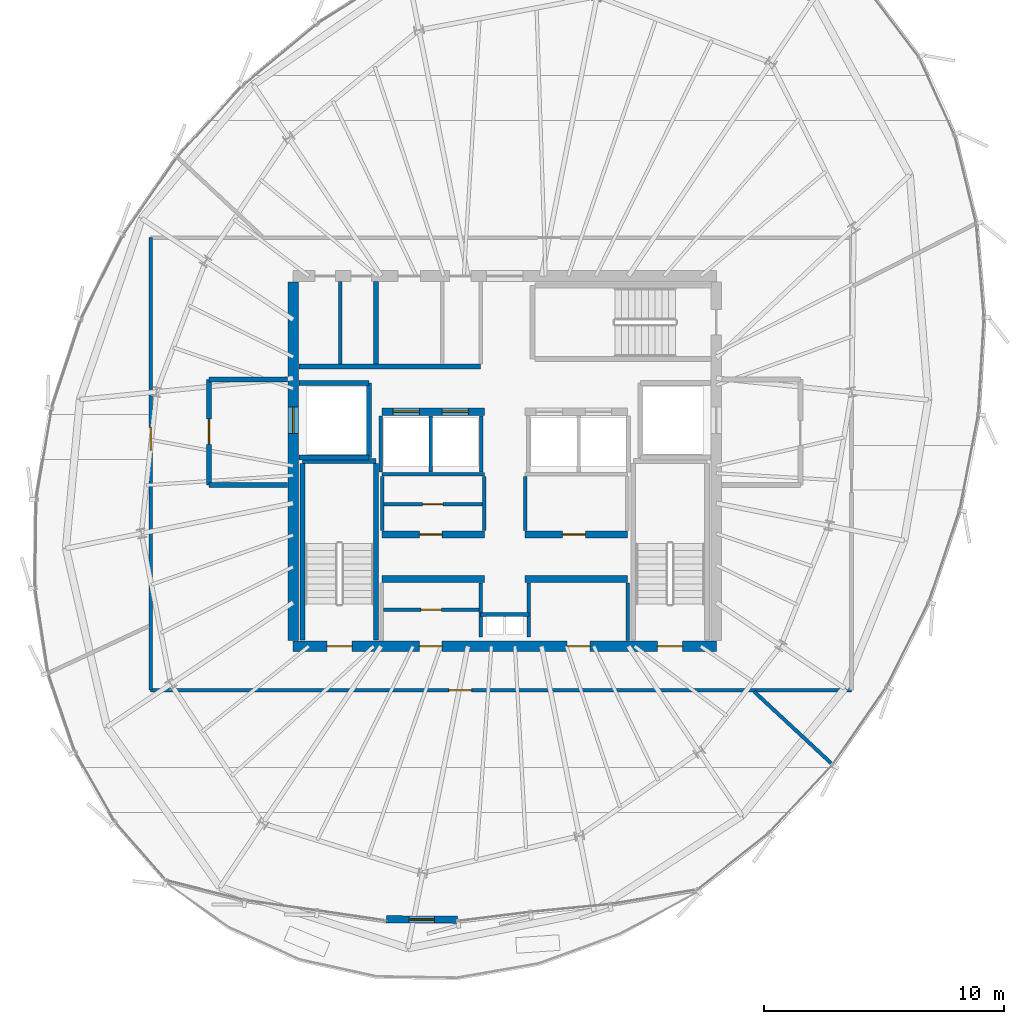
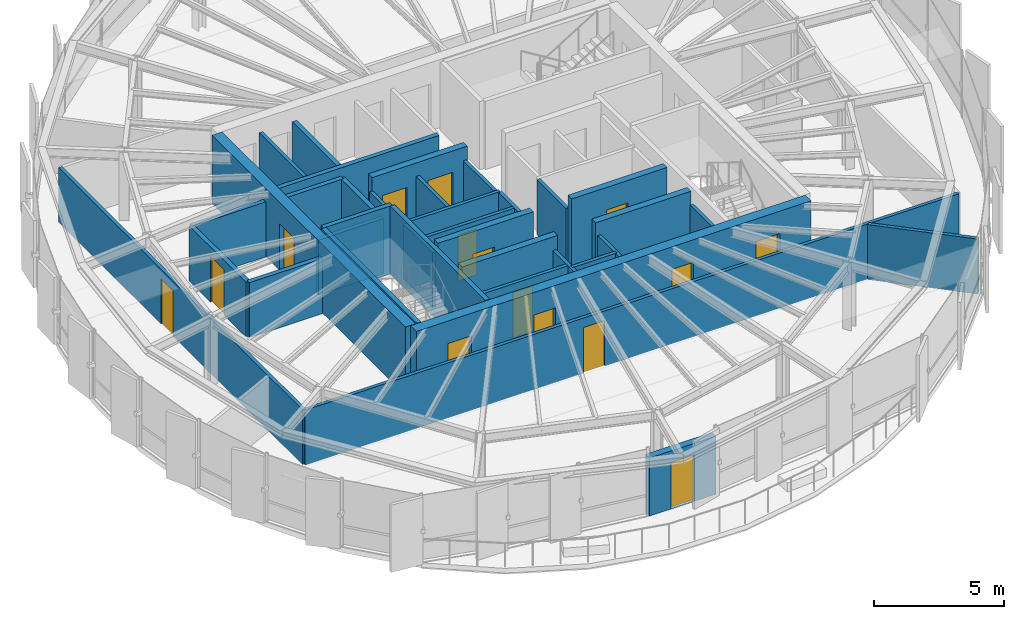
# One storey, part 26 of 32: 36 walls, 15 doors, 15 openings.
"""IFC4 building model written with IfcOpenShell, lengths in metres."""

from ifc_helpers import new_model, si_unit, direction, frame, frame_2d, origin, place, context, subcontext, project, spatial, rectangle, extrude, source, transform, mapped, material, layer, layer_set, type_object, element, fill, save


model = new_model("IFC4")

# Units and contexts
model_context = context("Model", 3, precision=1e-05, world=origin(), true_north=direction((0.0, 1.0)))
body_context = subcontext(model_context, "Body", "Model", "MODEL_VIEW")
ifc_project = project(units=[si_unit("LENGTHUNIT", "METRE"), si_unit("AREAUNIT", "SQUARE_METRE"), si_unit("VOLUMEUNIT", "CUBIC_METRE"), si_unit("PLANEANGLEUNIT", "RADIAN"), si_unit("MASSUNIT", "GRAM", prefix="KILO"), si_unit("THERMODYNAMICTEMPERATUREUNIT", "KELVIN")], contexts=[model_context])

# Site, building, storey
site_placement = place(None, origin())
site = spatial("IfcSite", under=ifc_project, at=site_placement, CompositionType="ELEMENT")
building_placement = place(site_placement, origin())
building = spatial("IfcBuilding", under=site, at=building_placement, Name="Kethvar Cultural Tower", CompositionType="ELEMENT")
storey_placement = place(building_placement, frame((0.0, 0.0, 273.25)))
storey = spatial("IfcBuildingStorey", under=building, at=storey_placement, Name="L72", CompositionType="ELEMENT", Elevation=273.25)

# Wall, openings, doors
ifc_material_1 = material(Name="Concrete C50/60", Category="concrete")
ifc_layer_1 = layer(ifc_material_1, 0.449951171875, Name="Concrete C50/60", Category="concrete")
ifc_layer_set_1 = layer_set([ifc_layer_1], Name="Concrete C50/60 (450 mm)")
wall_type_1 = type_object("IfcWallType", Name="WL-CORE-450", PredefinedType="SHEAR", material=ifc_layer_set_1)
wall_1_placement = place(storey_placement, frame((38.0, 20.10009765625, 0.0), z_axis=(0.0, 0.0, 1.0), x_axis=(1.0, 0.0, 0.0)))
wall_1 = element("IfcWall", 1, at=wall_1_placement, inside=storey, type_object=wall_type_1, Name="L72 Core Shear Wall S", PredefinedType="SHEAR", context=body_context, shape_type="SweptSolid", body=[
    extrude(rectangle(XDim=17.60009765625, YDim=0.449951171875, at=frame_2d((8.800048828125, 0.0))), origin(), (0.0, 0.0, 1.0), 3.2099609375),
])
opening_1_placement = place(wall_1_placement, frame((1.39990234375, 0.0, 0.0)))
opening_1 = element("IfcOpeningElement", 2, at=opening_1_placement, cuts=wall_1, Name="Opening D-L72-S1", PredefinedType="OPENING", context=body_context, shape_type="SweptSolid", body=[
    extrude(rectangle(XDim=1.050048828125, YDim=2.14990234375, at=frame_2d((0.52490234375, 1.074951171875))), frame((0.0, 0.23486328125, 0.0), z_axis=(0.0, -1.0, 0.0), x_axis=(1.0, 0.0, 0.0)), (0.0, 0.0, 1.0), 0.469970703125),
])
opening_2_placement = place(wall_1_placement, frame((15.14990234375, 0.0, 0.0)))
opening_2 = element("IfcOpeningElement", 3, at=opening_2_placement, cuts=wall_1, Name="Opening D-L72-ST2", PredefinedType="OPENING", context=body_context, shape_type="SweptSolid", body=[
    extrude(rectangle(XDim=1.050048828125, YDim=2.14990234375, at=frame_2d((0.52490234375, 1.074951171875))), frame((0.0, 0.23486328125, 0.0), z_axis=(0.0, -1.0, 0.0), x_axis=(1.0, 0.0, 0.0)), (0.0, 0.0, 1.0), 0.469970703125),
])
opening_3_placement = place(wall_1_placement, frame((5.25, 0.0, 0.0)))
opening_3 = element("IfcOpeningElement", 4, at=opening_3_placement, cuts=wall_1, Name="Opening D-L72-V1", PredefinedType="OPENING", context=body_context, shape_type="SweptSolid", body=[
    extrude(rectangle(XDim=0.949951171875, YDim=2.14990234375, at=frame_2d((0.47509765625, 1.074951171875))), frame((0.0, 0.23486328125, 0.0), z_axis=(0.0, -1.0, 0.0), x_axis=(1.0, 0.0, 0.0)), (0.0, 0.0, 1.0), 0.469970703125),
])
opening_4_placement = place(wall_1_placement, frame((11.39990234375, 0.0, 0.0)))
opening_4 = element("IfcOpeningElement", 5, at=opening_4_placement, cuts=wall_1, Name="Opening D-L72-V2", PredefinedType="OPENING", context=body_context, shape_type="SweptSolid", body=[
    extrude(rectangle(XDim=0.949951171875, YDim=2.14990234375, at=frame_2d((0.47509765625, 1.074951171875))), frame((0.0, 0.23486328125, 0.0), z_axis=(0.0, -1.0, 0.0), x_axis=(1.0, 0.0, 0.0)), (0.0, 0.0, 1.0), 0.469970703125),
])
ifc_material_2 = material(Name="Steel S355J2", Category="steel")
door_type_1 = type_object("IfcDoorType", Name="DR-FD60-1050", OperationType="NOTDEFINED", PredefinedType="DOOR", material=ifc_material_2)
shared_shape_1 = source(origin(), body_context, "Body", "SweptSolid", [
    extrude(rectangle(XDim=1.050048828125, YDim=2.14990234375, at=frame_2d((0.52490234375, 1.074951171875))), frame((0.0, 0.02490234375, 0.0), z_axis=(0.0, -1.0, 0.0), x_axis=(1.0, 0.0, 0.0)), (0.0, 0.0, 1.0), 0.050048828125),
])
door_1_placement = place(opening_1_placement, origin())
door_1 = element("IfcDoor", 6, at=door_1_placement, inside=storey, type_object=door_type_1, Name="L72 Exit Stair 1 Door", OperationType="SINGLE_SWING_LEFT", OverallHeight=2.14990234375, OverallWidth=1.050048828125, PredefinedType="DOOR", context=body_context, shape_type="MappedRepresentation", body=[
    mapped(shared_shape_1, transform((0.0, 0.0, 0.0), scale=1.0)),
])
fill(opening_1, door_1)
door_2_placement = place(opening_2_placement, origin())
door_2 = element("IfcDoor", 7, at=door_2_placement, inside=storey, type_object=door_type_1, Name="L72 Exit Stair 2 Door", OperationType="SINGLE_SWING_RIGHT", OverallHeight=2.14990234375, OverallWidth=1.050048828125, PredefinedType="DOOR", context=body_context, shape_type="MappedRepresentation", body=[
    mapped(shared_shape_1, transform((0.0, 0.0, 0.0), scale=1.0)),
])
fill(opening_2, door_2)
ifc_material_3 = material(Name="Architectural Oak Timber", Category="wood")
door_type_2 = type_object("IfcDoorType", Name="DR-FD30-950", OperationType="NOTDEFINED", PredefinedType="DOOR", material=ifc_material_3)
shared_shape_2 = source(origin(), body_context, "Body", "SweptSolid", [
    extrude(rectangle(XDim=0.949951171875, YDim=2.14990234375, at=frame_2d((0.47509765625, 1.074951171875))), frame((0.0, 0.02490234375, 0.0), z_axis=(0.0, -1.0, 0.0), x_axis=(1.0, 0.0, 0.0)), (0.0, 0.0, 1.0), 0.050048828125),
])
door_3_placement = place(opening_3_placement, origin())
door_3 = element("IfcDoor", 8, at=door_3_placement, inside=storey, type_object=door_type_2, Name="L72 Reclaimed West South Door", OperationType="SINGLE_SWING_LEFT", OverallHeight=2.14990234375, OverallWidth=0.949951171875, PredefinedType="DOOR", context=body_context, shape_type="MappedRepresentation", body=[
    mapped(shared_shape_2, transform((0.0, 0.0, 0.0), scale=1.0)),
])
fill(opening_3, door_3)
door_4_placement = place(opening_4_placement, origin())
door_4 = element("IfcDoor", 9, at=door_4_placement, inside=storey, type_object=door_type_2, Name="L72 Reclaimed East Server Door", OperationType="SINGLE_SWING_RIGHT", OverallHeight=2.14990234375, OverallWidth=0.949951171875, PredefinedType="DOOR", context=body_context, shape_type="MappedRepresentation", body=[
    mapped(shared_shape_2, transform((0.0, 0.0, 0.0), scale=1.0)),
])
fill(opening_4, door_4)

# Wall, opening, door
wall_2_placement = place(storey_placement, frame((38.0, 35.260009765625, 0.0), z_axis=(0.0, 0.0, 1.0), x_axis=(0.0, -1.0, 0.0)))
wall_2 = element("IfcWall", 10, at=wall_2_placement, inside=storey, type_object=wall_type_1, Name="L72 Core Shear Wall W", PredefinedType="SHEAR", context=body_context, shape_type="SweptSolid", body=[
    extrude(rectangle(XDim=14.919921875, YDim=0.449951171875, at=frame_2d((7.4599609375, 0.0))), origin(), (0.0, 0.0, 1.0), 3.2099609375),
])
opening_5_placement = place(wall_2_placement, frame((5.2099609375, 0.0, 0.0)))
opening_5 = element("IfcOpeningElement", 11, at=opening_5_placement, cuts=wall_2, Name="Opening LD-1", PredefinedType="OPENING", context=body_context, shape_type="SweptSolid", body=[
    extrude(rectangle(XDim=1.10009765625, YDim=2.199951171875, at=frame_2d((0.550048828125, 1.10009765625))), frame((0.0, 0.23486328125, 0.0), z_axis=(0.0, -1.0, 0.0), x_axis=(1.0, 0.0, 0.0)), (0.0, 0.0, 1.0), 0.469970703125),
])
door_type_3 = type_object("IfcDoorType", Name="DR-LIFT-SLIDE-1100", OperationType="NOTDEFINED", PredefinedType="DOOR", material=ifc_material_2)
shared_shape_3 = source(origin(), body_context, "Body", "SweptSolid", [
    extrude(rectangle(XDim=1.10009765625, YDim=2.199951171875, at=frame_2d((0.550048828125, 1.10009765625))), frame((0.0, 0.02490234375, 0.0), z_axis=(0.0, -1.0, 0.0), x_axis=(1.0, 0.0, 0.0)), (0.0, 0.0, 1.0), 0.050048828125),
])
door_5_placement = place(opening_5_placement, origin())
door_5 = element("IfcDoor", 12, at=door_5_placement, inside=storey, type_object=door_type_3, Name="L72 Firefighting Lift Landing Door FFL-01", OperationType="SLIDING_TO_LEFT", OverallHeight=2.199951171875, OverallWidth=1.10009765625, PredefinedType="DOOR", context=body_context, shape_type="MappedRepresentation", body=[
    mapped(shared_shape_3, transform((0.0, 0.0, 0.0), scale=1.0)),
])
fill(opening_5, door_5)

ifc_material_4 = material(Name="Concrete C40/50", Category="concrete")
ifc_layer_2 = layer(ifc_material_4, 0.300048828125, Name="Concrete C40/50", Category="concrete")
ifc_layer_set_2 = layer_set([ifc_layer_2], Name="Concrete C40/50 (300 mm)")
wall_type_2 = type_object("IfcWallType", Name="WL-EXT-TER-300", PredefinedType="SOLIDWALL", material=ifc_layer_set_2)
wall_3_placement = place(storey_placement, frame((44.83349609375, 8.722900390625, 0.0), z_axis=(0.0, 0.0, 1.0), x_axis=(-0.999983365716, 0.005767867139, 0.0)))
wall_3 = element("IfcWall", 13, at=wall_3_placement, inside=storey, type_object=wall_type_2, Name="L72 Sky Terrace Access Wall", PredefinedType="SOLIDWALL", context=body_context, shape_type="SweptSolid", body=[
    extrude(rectangle(XDim=2.962890625, YDim=0.300048828125, at=frame_2d((1.4814453125, 0.0))), origin(), (0.0, 0.0, 1.0), 2.735107421875),
])
opening_6_placement = place(wall_3_placement, frame((0.95654296875, 0.0, 0.0)))
opening_6 = element("IfcOpeningElement", 14, at=opening_6_placement, cuts=wall_3, Name="Opening D-L72-T1", PredefinedType="OPENING", context=body_context, shape_type="SweptSolid", body=[
    extrude(rectangle(XDim=1.050048828125, YDim=2.199951171875, at=frame_2d((0.52490234375, 1.10009765625))), frame((0.0, 0.159912109375, 0.0), z_axis=(0.0, -1.0, 0.0), x_axis=(1.0, 0.0, 0.0)), (0.0, 0.0, 1.0), 0.320068359375),
])
ifc_material_5 = material(Name="Aluminium 6063-T6", Category="aluminium")
door_type_4 = type_object("IfcDoorType", Name="DR-EXT-TER-1050", OperationType="NOTDEFINED", PredefinedType="DOOR", material=ifc_material_5)
shared_shape_4 = source(origin(), body_context, "Body", "SweptSolid", [
    extrude(rectangle(XDim=1.050048828125, YDim=2.199951171875, at=frame_2d((0.52490234375, 1.10009765625))), frame((0.0, 0.02490234375, 0.0), z_axis=(0.0, -1.0, 0.0), x_axis=(1.0, 0.0, 0.0)), (0.0, 0.0, 1.0), 0.050048828125),
])
door_6_placement = place(opening_6_placement, origin())
door_6 = element("IfcDoor", 15, at=door_6_placement, inside=storey, type_object=door_type_4, Name="L72 Sky Terrace Access Door D-L72-T1", OperationType="SINGLE_SWING_RIGHT", OverallHeight=2.199951171875, OverallWidth=1.050048828125, PredefinedType="DOOR", context=body_context, shape_type="MappedRepresentation", body=[
    mapped(shared_shape_4, transform((0.0, 0.0, 0.0), scale=1.0)),
])
fill(opening_6, door_6)

# Walls
ifc_material_6 = material(Name="Gypsum Fireboard Partition")
ifc_layer_3 = layer(ifc_material_6, 0.14990234375, Name="Gypsum Fireboard Partition")
ifc_layer_set_3 = layer_set([ifc_layer_3], Name="Gypsum Fireboard Partition (150 mm)")
wall_type_3 = type_object("IfcWallType", Name="WL-FIRE-150", PredefinedType="PARTITIONING", material=ifc_layer_set_3)
wall_4_placement = place(storey_placement, frame((45.800048828125, 21.419921875, 0.0), z_axis=(0.0, 0.0, 1.0), x_axis=(1.0, 0.0, 0.0)))
element("IfcWall", 16, at=wall_4_placement, inside=storey, type_object=wall_type_3, Name="L72 Core Riser Wall", PredefinedType="PARTITIONING", context=body_context, shape_type="SweptSolid", body=[
    extrude(rectangle(XDim=2.0, YDim=0.14990234375, at=frame_2d((1.0, 0.0))), origin(), (0.0, 0.0, 1.0), 2.594970703125),
])
for number, where, z_axis, x_axis, name in (
    (17, (45.800048828125, 20.47998046875, 0.0), (0.0, 0.0, 1.0), (0.0, 1.0, 0.0), "L72 Core Riser West Wall"),
    (18, (47.800048828125, 20.47998046875, 0.0), (0.0, 0.0, 1.0), (0.0, 1.0, 0.0), "L72 Core Riser East Wall"),
):
    element("IfcWall", number, at=place(storey_placement, frame(where, z_axis=z_axis, x_axis=x_axis)), inside=storey, type_object=wall_type_3, Name=name, PredefinedType="PARTITIONING", context=body_context, shape_type="SweptSolid", body=[
        extrude(rectangle(XDim=2.239990234375, YDim=0.14990234375, at=frame_2d((1.1201171875, 0.0))), origin(), (0.0, 0.0, 1.0), 2.594970703125),
    ])
wall_5_placement = place(storey_placement, frame((51.919921875, 20.3349609375, 0.0), z_axis=(0.0, 0.0, 1.0), x_axis=(0.0, 1.0, 0.0)))
element("IfcWall", 19, at=wall_5_placement, inside=storey, type_object=wall_type_3, Name="L72 Reclaimed East Outer Wall", PredefinedType="PARTITIONING", context=body_context, shape_type="SweptSolid", body=[
    extrude(rectangle(XDim=2.39501953125, YDim=0.14990234375, at=frame_2d((1.197509765625, 0.0))), origin(), (0.0, 0.0, 1.0), 2.594970703125),
])

# Wall, opening, door
wall_6_placement = place(storey_placement, frame((41.760009765625, 21.6201171875, 0.0), z_axis=(0.0, 0.0, 1.0), x_axis=(1.0, 0.0, 0.0)))
wall_6 = element("IfcWall", 20, at=wall_6_placement, inside=storey, type_object=wall_type_3, Name="L72 Vault Gallery Wall W", PredefinedType="PARTITIONING", context=body_context, shape_type="SweptSolid", body=[
    extrude(rectangle(XDim=3.9599609375, YDim=0.14990234375, at=frame_2d((1.97998046875, 0.0))), origin(), (0.0, 0.0, 1.0), 2.594970703125),
])
opening_7_placement = place(wall_6_placement, frame((1.550048828125, 0.0, 0.0)))
opening_7 = element("IfcOpeningElement", 21, at=opening_7_placement, cuts=wall_6, Name="Opening D-L72-V3", PredefinedType="OPENING", context=body_context, shape_type="SweptSolid", body=[
    extrude(rectangle(XDim=0.85009765625, YDim=2.14990234375, at=frame_2d((0.425048828125, 1.074951171875))), frame((0.0, 0.0849609375, 0.0), z_axis=(0.0, -1.0, 0.0), x_axis=(1.0, 0.0, 0.0)), (0.0, 0.0, 1.0), 0.169921875),
])
door_type_5 = type_object("IfcDoorType", Name="DR-FD30-850", OperationType="NOTDEFINED", PredefinedType="DOOR", material=ifc_material_2)
shared_shape_5 = source(origin(), body_context, "Body", "SweptSolid", [
    extrude(rectangle(XDim=0.85009765625, YDim=2.14990234375, at=frame_2d((0.425048828125, 1.074951171875))), frame((0.0, 0.02490234375, 0.0), z_axis=(0.0, -1.0, 0.0), x_axis=(1.0, 0.0, 0.0)), (0.0, 0.0, 1.0), 0.050048828125),
])
door_7_placement = place(opening_7_placement, origin())
door_7 = element("IfcDoor", 22, at=door_7_placement, inside=storey, type_object=door_type_5, Name="L72 Inner Vault Gallery Door", OperationType="SINGLE_SWING_LEFT", OverallHeight=2.14990234375, OverallWidth=0.85009765625, PredefinedType="DOOR", context=body_context, shape_type="MappedRepresentation", body=[
    mapped(shared_shape_5, transform((0.0, 0.0, 0.0), scale=1.0)),
])
fill(opening_7, door_7)

# Walls
wall_7_placement = place(storey_placement, frame((41.699951171875, 27.25, 0.0), z_axis=(0.0, 0.0, 1.0), x_axis=(1.0, 0.0, 0.0)))
element("IfcWall", 23, at=wall_7_placement, inside=storey, type_object=wall_type_3, Name="L72 Reclaimed Mid Wall W", PredefinedType="PARTITIONING", context=body_context, shape_type="SweptSolid", body=[
    extrude(rectangle(XDim=4.25, YDim=0.14990234375, at=frame_2d((2.125, 0.0))), origin(), (0.0, 0.0, 1.0), 2.594970703125),
])
for number, where, z_axis, x_axis, name in (
    (24, (41.699951171875, 24.919921875, 0.0), (0.0, 0.0, 1.0), (0.0, 1.0, 0.0), "L72 Reclaimed Mid Outer W"),
    (25, (45.949951171875, 24.919921875, 0.0), (0.0, 0.0, 1.0), (0.0, 1.0, 0.0), "L72 Reclaimed Mid Spine W"),
    (26, (47.64990234375, 24.919921875, 0.0), (0.0, 0.0, 1.0), (0.0, 1.0, 0.0), "L72 Reclaimed Mid Spine E"),
):
    element("IfcWall", number, at=place(storey_placement, frame(where, z_axis=z_axis, x_axis=x_axis)), inside=storey, type_object=wall_type_3, Name=name, PredefinedType="PARTITIONING", context=body_context, shape_type="SweptSolid", body=[
        extrude(rectangle(XDim=2.239990234375, YDim=0.14990234375, at=frame_2d((1.1201171875, 0.0))), origin(), (0.0, 0.0, 1.0), 2.594970703125),
    ])

# Wall, opening, door
wall_8_placement = place(storey_placement, frame((41.780029296875, 26.010009765625, 0.0), z_axis=(0.0, 0.0, 1.0), x_axis=(1.0, 0.0, 0.0)))
wall_8 = element("IfcWall", 27, at=wall_8_placement, inside=storey, type_object=wall_type_3, Name="L72 Mid Gallery Wall W", PredefinedType="PARTITIONING", context=body_context, shape_type="SweptSolid", body=[
    extrude(rectangle(XDim=4.090087890625, YDim=0.14990234375, at=frame_2d((2.044921875, 0.0))), origin(), (0.0, 0.0, 1.0), 2.594970703125),
])
opening_8_placement = place(wall_8_placement, frame((1.60009765625, 0.0, 0.0)))
opening_8 = element("IfcOpeningElement", 28, at=opening_8_placement, cuts=wall_8, Name="Opening D-L72-M3", PredefinedType="OPENING", context=body_context, shape_type="SweptSolid", body=[
    extrude(rectangle(XDim=0.85009765625, YDim=2.14990234375, at=frame_2d((0.425048828125, 1.074951171875))), frame((0.0, 0.0849609375, 0.0), z_axis=(0.0, -1.0, 0.0), x_axis=(1.0, 0.0, 0.0)), (0.0, 0.0, 1.0), 0.169921875),
])
door_8_placement = place(opening_8_placement, origin())
door_8 = element("IfcDoor", 29, at=door_8_placement, inside=storey, type_object=door_type_5, Name="L72 Fibre Inner Door", OperationType="SINGLE_SWING_LEFT", OverallHeight=2.14990234375, OverallWidth=0.85009765625, PredefinedType="DOOR", context=body_context, shape_type="MappedRepresentation", body=[
    mapped(shared_shape_5, transform((0.0, 0.0, 0.0), scale=1.0)),
])
fill(opening_8, door_8)

# Walls
for number, where, z_axis, x_axis, name in (
    (30, (41.64990234375, 27.340087890625, 0.0), (0.0, 0.0, 1.0), (0.0, 1.0, 0.0), "L72 High-Rise Lift Shaft Outer Wall W"),
    (31, (43.72509765625, 27.340087890625, 0.0), (0.0, 0.0, 1.0), (0.0, 1.0, 0.0), "L72 High-Rise Lift Shaft Divider W"),
    (32, (45.824951171875, 27.340087890625, 0.0), (0.0, 0.0, 1.0), (0.0, 1.0, 0.0), "L72 High-Rise Lift Shaft Concourse Wall W"),
):
    element("IfcWall", number, at=place(storey_placement, frame(where, z_axis=z_axis, x_axis=x_axis)), inside=storey, type_object=wall_type_3, Name=name, PredefinedType="PARTITIONING", context=body_context, shape_type="SweptSolid", body=[
        extrude(rectangle(XDim=2.33984375, YDim=0.14990234375, at=frame_2d((1.169921875, 0.0))), origin(), (0.0, 0.0, 1.0), 2.594970703125),
    ])
wall_9_placement = place(storey_placement, frame((39.949951171875, 31.85009765625, 0.0), z_axis=(0.0, 0.0, 1.0), x_axis=(0.0, 1.0, 0.0)))
element("IfcWall", 33, at=wall_9_placement, inside=storey, type_object=wall_type_3, Name="L72 NW Riser Divider", PredefinedType="PARTITIONING", context=body_context, shape_type="SweptSolid", body=[
    extrude(rectangle(XDim=3.414794921875, YDim=0.14990234375, at=frame_2d((1.70751953125, 0.0))), origin(), (0.0, 0.0, 1.0), 2.594970703125),
])

# Wall, opening, door
wall_10_placement = place(storey_placement, frame((32.070068359375, 18.26904296875, 0.0), z_axis=(0.0, 0.0, 1.0), x_axis=(1.0, 0.0, 0.0)))
wall_10 = element("IfcWall", 34, at=wall_10_placement, inside=storey, type_object=wall_type_3, Name="L72 Corridor Rated Wall S", PredefinedType="PARTITIONING", context=body_context, shape_type="SweptSolid", body=[
    extrude(rectangle(XDim=29.156005859375, YDim=0.14990234375, at=frame_2d((14.578125, 0.0))), origin(), (0.0, 0.0, 1.0), 2.594970703125),
])
opening_9_placement = place(wall_10_placement, frame((12.403564453125, 0.0, 0.0)))
opening_9 = element("IfcOpeningElement", 35, at=opening_9_placement, cuts=wall_10, Name="Opening D-L72-01", PredefinedType="OPENING", context=body_context, shape_type="SweptSolid", body=[
    extrude(rectangle(XDim=0.949951171875, YDim=2.14990234375, at=frame_2d((0.47509765625, 1.074951171875))), frame((0.0, 0.0849609375, 0.0), z_axis=(0.0, -1.0, 0.0), x_axis=(1.0, 0.0, 0.0)), (0.0, 0.0, 1.0), 0.169921875),
])
door_9_placement = place(opening_9_placement, origin())
door_9 = element("IfcDoor", 36, at=door_9_placement, inside=storey, type_object=door_type_2, Name="L72 Curatorial Research Office 01 Door", OperationType="SINGLE_SWING_LEFT", OverallHeight=2.14990234375, OverallWidth=0.949951171875, PredefinedType="DOOR", context=body_context, shape_type="MappedRepresentation", body=[
    mapped(shared_shape_2, transform((0.0, 0.0, 0.0), scale=1.0)),
])
fill(opening_9, door_9)

wall_11_placement = place(storey_placement, frame((32.070068359375, 37.10009765625, 0.0), z_axis=(0.0, 0.0, 1.0), x_axis=(0.0, -1.0, 0.0)))
wall_11 = element("IfcWall", 37, at=wall_11_placement, inside=storey, type_object=wall_type_3, Name="L72 Corridor Rated Wall W", PredefinedType="PARTITIONING", context=body_context, shape_type="SweptSolid", body=[
    extrude(rectangle(XDim=18.8310546875, YDim=0.14990234375, at=frame_2d((9.41552734375, 0.0))), origin(), (0.0, 0.0, 1.0), 2.594970703125),
])
opening_10_placement = place(wall_11_placement, frame((7.894287109375, 0.0, 0.0)))
opening_10 = element("IfcOpeningElement", 38, at=opening_10_placement, cuts=wall_11, Name="Opening D-L72-04", PredefinedType="OPENING", context=body_context, shape_type="SweptSolid", body=[
    extrude(rectangle(XDim=0.949951171875, YDim=2.14990234375, at=frame_2d((0.47509765625, 1.074951171875))), frame((0.0, 0.0849609375, 0.0), z_axis=(0.0, -1.0, 0.0), x_axis=(1.0, 0.0, 0.0)), (0.0, 0.0, 1.0), 0.169921875),
])
door_10_placement = place(opening_10_placement, origin())
door_10 = element("IfcDoor", 39, at=door_10_placement, inside=storey, type_object=door_type_2, Name="L72 Special Collections Storage 04 Door", OperationType="SINGLE_SWING_RIGHT", OverallHeight=2.14990234375, OverallWidth=0.949951171875, PredefinedType="DOOR", context=body_context, shape_type="MappedRepresentation", body=[
    mapped(shared_shape_2, transform((0.0, 0.0, 0.0), scale=1.0)),
])
fill(opening_10, door_10)

# Walls
ifc_layer_4 = layer(ifc_material_4, 0.199951171875, Name="Concrete C40/50", Category="concrete")
ifc_layer_set_4 = layer_set([ifc_layer_4], Name="Concrete C40/50 (200 mm)")
wall_type_4 = type_object("IfcWallType", Name="WL-FIRE-200", PredefinedType="PARTITIONING", material=ifc_layer_set_4)
wall_12_placement = place(storey_placement, frame((41.14990234375, 27.949951171875, 0.0), z_axis=(0.0, 0.0, 1.0), x_axis=(0.0, 1.0, 0.0)))
element("IfcWall", 40, at=wall_12_placement, inside=storey, type_object=wall_type_4, Name="L72 FFL-01 Shaft Inner Wall", PredefinedType="PARTITIONING", context=body_context, shape_type="SweptSolid", body=[
    extrude(rectangle(XDim=3.10009765625, YDim=0.199951171875, at=frame_2d((1.550048828125, 0.0))), origin(), (0.0, 0.0, 1.0), 2.594970703125),
])
for number, where, z_axis, x_axis, name in (
    (41, (38.235107421875, 27.949951171875, 0.0), (0.0, 0.0, 1.0), (1.0, 0.0, 0.0), "L72 FFL-01 Shaft South Wall"),
    (42, (38.235107421875, 31.050048828125, 0.0), (0.0, 0.0, 1.0), (1.0, 0.0, 0.0), "L72 FFL-01 Shaft North Wall"),
):
    element("IfcWall", number, at=place(storey_placement, frame(where, z_axis=z_axis, x_axis=x_axis)), inside=storey, type_object=wall_type_4, Name=name, PredefinedType="PARTITIONING", context=body_context, shape_type="SweptSolid", body=[
        extrude(rectangle(XDim=2.914794921875, YDim=0.199951171875, at=frame_2d((1.45751953125, 0.0))), origin(), (0.0, 0.0, 1.0), 2.594970703125),
    ])

# Wall, opening, door
wall_13_placement = place(storey_placement, frame((34.5, 31.199951171875, 0.0), z_axis=(0.0, 0.0, 1.0), x_axis=(0.0, -1.0, 0.0)))
wall_13 = element("IfcWall", 43, at=wall_13_placement, inside=storey, type_object=wall_type_4, Name="L72 Firefighting Lobby 1 Wall", PredefinedType="PARTITIONING", context=body_context, shape_type="SweptSolid", body=[
    extrude(rectangle(XDim=4.39990234375, YDim=0.199951171875, at=frame_2d((2.199951171875, 0.0))), origin(), (0.0, 0.0, 1.0), 2.594970703125),
])
opening_11_placement = place(wall_13_placement, frame((1.64990234375, 0.0, 0.0)))
opening_11 = element("IfcOpeningElement", 44, at=opening_11_placement, cuts=wall_13, Name="Opening D-L72-F1", PredefinedType="OPENING", context=body_context, shape_type="SweptSolid", body=[
    extrude(rectangle(XDim=1.050048828125, YDim=2.14990234375, at=frame_2d((0.52490234375, 1.074951171875))), frame((0.0, 0.10986328125, 0.0), z_axis=(0.0, -1.0, 0.0), x_axis=(1.0, 0.0, 0.0)), (0.0, 0.0, 1.0), 0.219970703125),
])
door_11_placement = place(opening_11_placement, origin())
door_11 = element("IfcDoor", 45, at=door_11_placement, inside=storey, type_object=door_type_1, Name="L72 Firefighting Lobby 1 Fire Door", OperationType="SINGLE_SWING_LEFT", OverallHeight=2.14990234375, OverallWidth=1.050048828125, PredefinedType="DOOR", context=body_context, shape_type="MappedRepresentation", body=[
    mapped(shared_shape_1, transform((0.0, 0.0, 0.0), scale=1.0)),
])
fill(opening_11, door_11)

# Walls
for number, where, z_axis, x_axis, name in (
    (46, (34.5, 26.800048828125, 0.0), (0.0, 0.0, 1.0), (1.0, 0.0, 0.0), "L72 FF Lobby 1 South Wall"),
    (47, (34.5, 31.199951171875, 0.0), (0.0, 0.0, 1.0), (1.0, 0.0, 0.0), "L72 FF Lobby 1 North Wall"),
):
    element("IfcWall", number, at=place(storey_placement, frame(where, z_axis=z_axis, x_axis=x_axis)), inside=storey, type_object=wall_type_4, Name=name, PredefinedType="PARTITIONING", context=body_context, shape_type="SweptSolid", body=[
        extrude(rectangle(XDim=3.264892578125, YDim=0.199951171875, at=frame_2d((1.63232421875, 0.0))), origin(), (0.0, 0.0, 1.0), 2.594970703125),
    ])
wall_14_placement = place(storey_placement, frame((41.449951171875, 31.85009765625, 0.0), z_axis=(0.0, 0.0, 1.0), x_axis=(0.0, 1.0, 0.0)))
element("IfcWall", 48, at=wall_14_placement, inside=storey, type_object=wall_type_4, Name="L72 NW Core Pocket Wall", PredefinedType="PARTITIONING", context=body_context, shape_type="SweptSolid", body=[
    extrude(rectangle(XDim=3.414794921875, YDim=0.199951171875, at=frame_2d((1.70751953125, 0.0))), origin(), (0.0, 0.0, 1.0), 2.594970703125),
])
wall_15_placement = place(storey_placement, frame((38.235107421875, 31.72998046875, 0.0), z_axis=(0.0, 0.0, 1.0), x_axis=(1.0, 0.0, 0.0)))
element("IfcWall", 49, at=wall_15_placement, inside=storey, type_object=wall_type_4, Name="L72 North Core Sanitary South Wall", PredefinedType="PARTITIONING", context=body_context, shape_type="SweptSolid", body=[
    extrude(rectangle(XDim=7.56494140625, YDim=0.199951171875, at=frame_2d((3.782470703125, 0.0))), origin(), (0.0, 0.0, 1.0), 2.594970703125),
])
ifc_material_7 = material(Name="Gypsum Acoustic Partition")
ifc_layer_5 = layer(ifc_material_7, 0.14990234375, Name="Gypsum Acoustic Partition")
ifc_layer_set_5 = layer_set([ifc_layer_5], Name="Gypsum Acoustic Partition (150 mm)")
wall_type_5 = type_object("IfcWallType", Name="WL-PART-150", PredefinedType="PARTITIONING", material=ifc_layer_set_5)
wall_16_placement = place(storey_placement, frame((57.173095703125, 18.214599609375, 0.0), z_axis=(0.0, 0.0, 1.0), x_axis=(0.732357713439, -0.680920097784, 0.0)))
element("IfcWall", 50, at=wall_16_placement, inside=storey, type_object=wall_type_5, Name="L72 Radial Partition Wall 02", PredefinedType="PARTITIONING", context=body_context, shape_type="SweptSolid", body=[
    extrude(rectangle(XDim=4.371337890625, YDim=0.14990234375, at=frame_2d((2.185546875, 0.0))), origin(), (0.0, 0.0, 1.0), 2.594970703125),
])
ifc_layer_6 = layer(ifc_material_1, 0.300048828125, Name="Concrete C50/60", Category="concrete")
ifc_layer_set_6 = layer_set([ifc_layer_6], Name="Concrete C50/60 (300 mm)")
wall_type_6 = type_object("IfcWallType", Name="WL-SHAFT-300", PredefinedType="SHEAR", material=ifc_layer_set_6)
for number, where, z_axis, x_axis, name in (
    (51, (41.699951171875, 22.89990234375, 0.0), (0.0, 0.0, 1.0), (1.0, 0.0, 0.0), "L72 Core Lift Spine Wall MID1W"),
    (52, (47.64990234375, 22.89990234375, 0.0), (0.0, 0.0, 1.0), (1.0, 0.0, 0.0), "L72 Core Lift Spine Wall MID1E"),
):
    element("IfcWall", number, at=place(storey_placement, frame(where, z_axis=z_axis, x_axis=x_axis)), inside=storey, type_object=wall_type_6, Name=name, PredefinedType="SHEAR", context=body_context, shape_type="SweptSolid", body=[
        extrude(rectangle(XDim=4.25, YDim=0.300048828125, at=frame_2d((2.125, 0.0))), origin(), (0.0, 0.0, 1.0), 3.2099609375),
    ])

# Wall, opening, door
wall_17_placement = place(storey_placement, frame((41.699951171875, 24.75, 0.0), z_axis=(0.0, 0.0, 1.0), x_axis=(1.0, 0.0, 0.0)))
wall_17 = element("IfcWall", 53, at=wall_17_placement, inside=storey, type_object=wall_type_6, Name="L72 Core Lift Spine Wall MID2W", PredefinedType="SHEAR", context=body_context, shape_type="SweptSolid", body=[
    extrude(rectangle(XDim=4.25, YDim=0.300048828125, at=frame_2d((2.125, 0.0))), origin(), (0.0, 0.0, 1.0), 3.2099609375),
])
opening_12_placement = place(wall_17_placement, frame((1.550048828125, 0.0, 0.0)))
opening_12 = element("IfcOpeningElement", 54, at=opening_12_placement, cuts=wall_17, Name="Opening D-L72-M1", PredefinedType="OPENING", context=body_context, shape_type="SweptSolid", body=[
    extrude(rectangle(XDim=0.949951171875, YDim=2.14990234375, at=frame_2d((0.47509765625, 1.074951171875))), frame((0.0, 0.159912109375, 0.0), z_axis=(0.0, -1.0, 0.0), x_axis=(1.0, 0.0, 0.0)), (0.0, 0.0, 1.0), 0.320068359375),
])
door_12_placement = place(opening_12_placement, origin())
door_12 = element("IfcDoor", 55, at=door_12_placement, inside=storey, type_object=door_type_2, Name="L72 Fibre Patch Door", OperationType="SINGLE_SWING_LEFT", OverallHeight=2.14990234375, OverallWidth=0.949951171875, PredefinedType="DOOR", context=body_context, shape_type="MappedRepresentation", body=[
    mapped(shared_shape_2, transform((0.0, 0.0, 0.0), scale=1.0)),
])
fill(opening_12, door_12)

wall_18_placement = place(storey_placement, frame((47.64990234375, 24.75, 0.0), z_axis=(0.0, 0.0, 1.0), x_axis=(1.0, 0.0, 0.0)))
wall_18 = element("IfcWall", 56, at=wall_18_placement, inside=storey, type_object=wall_type_6, Name="L72 Core Lift Spine Wall MID2E", PredefinedType="SHEAR", context=body_context, shape_type="SweptSolid", body=[
    extrude(rectangle(XDim=4.25, YDim=0.300048828125, at=frame_2d((2.125, 0.0))), origin(), (0.0, 0.0, 1.0), 3.2099609375),
])
opening_13_placement = place(wall_18_placement, frame((1.550048828125, 0.0, 0.0)))
opening_13 = element("IfcOpeningElement", 57, at=opening_13_placement, cuts=wall_18, Name="Opening D-L72-M2", PredefinedType="OPENING", context=body_context, shape_type="SweptSolid", body=[
    extrude(rectangle(XDim=0.949951171875, YDim=2.14990234375, at=frame_2d((0.47509765625, 1.074951171875))), frame((0.0, 0.159912109375, 0.0), z_axis=(0.0, -1.0, 0.0), x_axis=(1.0, 0.0, 0.0)), (0.0, 0.0, 1.0), 0.320068359375),
])
door_13_placement = place(opening_13_placement, origin())
door_13 = element("IfcDoor", 58, at=door_13_placement, inside=storey, type_object=door_type_2, Name="L72 Sky Archive Annex Door", OperationType="SINGLE_SWING_RIGHT", OverallHeight=2.14990234375, OverallWidth=0.949951171875, PredefinedType="DOOR", context=body_context, shape_type="MappedRepresentation", body=[
    mapped(shared_shape_2, transform((0.0, 0.0, 0.0), scale=1.0)),
])
fill(opening_13, door_13)

# Wall, openings, doors
wall_19_placement = place(storey_placement, frame((41.699951171875, 29.85009765625, 0.0), z_axis=(0.0, 0.0, 1.0), x_axis=(1.0, 0.0, 0.0)))
wall_19 = element("IfcWall", 59, at=wall_19_placement, inside=storey, type_object=wall_type_6, Name="L72 Core Lift Spine Wall MID3W", PredefinedType="SHEAR", context=body_context, shape_type="SweptSolid", body=[
    extrude(rectangle(XDim=4.25, YDim=0.300048828125, at=frame_2d((2.125, 0.0))), origin(), (0.0, 0.0, 1.0), 3.2099609375),
])
opening_14_placement = place(wall_19_placement, frame((0.449951171875, 0.0, 0.0)))
opening_14 = element("IfcOpeningElement", 60, at=opening_14_placement, cuts=wall_19, Name="Opening LD-H1", PredefinedType="OPENING", context=body_context, shape_type="SweptSolid", body=[
    extrude(rectangle(XDim=1.10009765625, YDim=2.199951171875, at=frame_2d((0.550048828125, 1.10009765625))), frame((0.0, 0.159912109375, 0.0), z_axis=(0.0, -1.0, 0.0), x_axis=(1.0, 0.0, 0.0)), (0.0, 0.0, 1.0), 0.320068359375),
])
opening_15_placement = place(wall_19_placement, frame((2.5, 0.0, 0.0)))
opening_15 = element("IfcOpeningElement", 61, at=opening_15_placement, cuts=wall_19, Name="Opening LD-H2", PredefinedType="OPENING", context=body_context, shape_type="SweptSolid", body=[
    extrude(rectangle(XDim=1.10009765625, YDim=2.199951171875, at=frame_2d((0.550048828125, 1.10009765625))), frame((0.0, 0.159912109375, 0.0), z_axis=(0.0, -1.0, 0.0), x_axis=(1.0, 0.0, 0.0)), (0.0, 0.0, 1.0), 0.320068359375),
])
door_14_placement = place(opening_14_placement, origin())
door_14 = element("IfcDoor", 62, at=door_14_placement, inside=storey, type_object=door_type_3, Name="L72 High-Rise Lift Landing Door H1", OperationType="SLIDING_TO_LEFT", OverallHeight=2.199951171875, OverallWidth=1.10009765625, PredefinedType="DOOR", context=body_context, shape_type="MappedRepresentation", body=[
    mapped(shared_shape_3, transform((0.0, 0.0, 0.0), scale=1.0)),
])
fill(opening_14, door_14)
door_15_placement = place(opening_15_placement, origin())
door_15 = element("IfcDoor", 63, at=door_15_placement, inside=storey, type_object=door_type_3, Name="L72 High-Rise Lift Landing Door H2", OperationType="SLIDING_TO_LEFT", OverallHeight=2.199951171875, OverallWidth=1.10009765625, PredefinedType="DOOR", context=body_context, shape_type="MappedRepresentation", body=[
    mapped(shared_shape_3, transform((0.0, 0.0, 0.0), scale=1.0)),
])
fill(opening_15, door_15)

# Walls
ifc_layer_7 = layer(ifc_material_1, 0.199951171875, Name="Concrete C50/60", Category="concrete")
ifc_layer_set_7 = layer_set([ifc_layer_7], Name="Concrete C50/60 (200 mm)")
wall_type_7 = type_object("IfcWallType", Name="WL-STSHAFT-200", PredefinedType="SHEAR", material=ifc_layer_set_7)
wall_20_placement = place(storey_placement, frame((38.389892578125, 27.800048828125, 0.0), z_axis=(0.0, 0.0, 1.0), x_axis=(1.0, 0.0, 0.0)))
element("IfcWall", 64, at=wall_20_placement, inside=storey, type_object=wall_type_7, Name="L72 ST-01 Stair Shaft Wall FAR", PredefinedType="SHEAR", context=body_context, shape_type="SweptSolid", body=[
    extrude(rectangle(XDim=3.06005859375, YDim=0.199951171875, at=frame_2d((1.530029296875, 0.0))), origin(), (0.0, 0.0, 1.0), 3.2099609375),
])
for number, where, z_axis, x_axis, name in (
    (65, (41.449951171875, 27.699951171875, 0.0), (0.0, 0.0, 1.0), (0.0, -1.0, 0.0), "L72 ST-01 Stair Shaft Wall LEFT"),
    (66, (38.389892578125, 20.35009765625, 0.0), (0.0, 0.0, 1.0), (0.0, 1.0, 0.0), "L72 ST-01 Stair Shaft Wall RIGHT"),
):
    element("IfcWall", number, at=place(storey_placement, frame(where, z_axis=z_axis, x_axis=x_axis)), inside=storey, type_object=wall_type_7, Name=name, PredefinedType="SHEAR", context=body_context, shape_type="SweptSolid", body=[
        extrude(rectangle(XDim=7.349853515625, YDim=0.199951171875, at=frame_2d((3.6748046875, 0.0))), origin(), (0.0, 0.0, 1.0), 3.2099609375),
    ])

save(model, "model.ifc")
